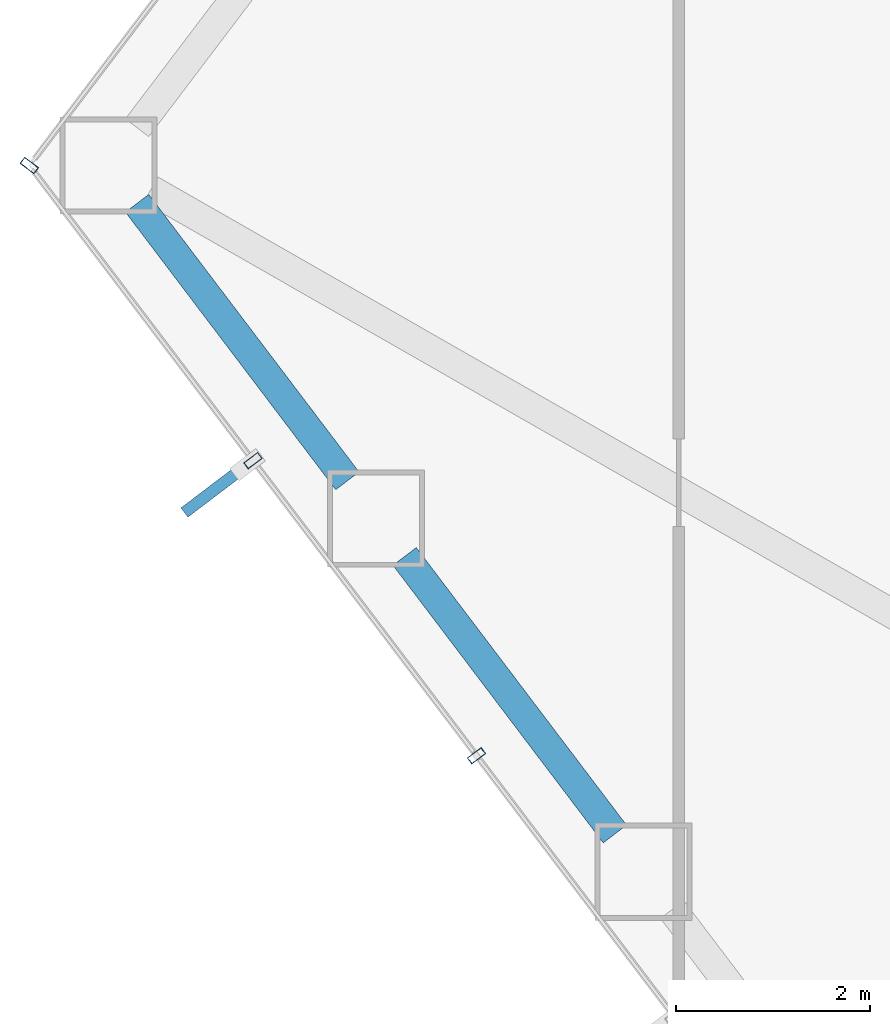
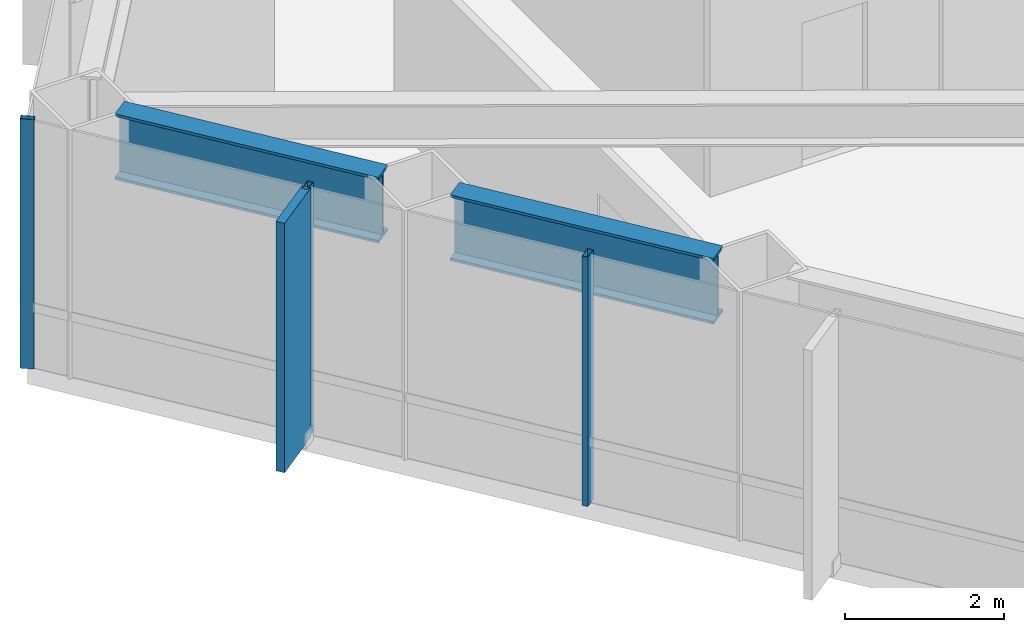
# One storey, part 4 of 25: 4 members, 2 beams, 2 elements without a shape of their own.
"""IFC4 building model written with IfcOpenShell, lengths in metres."""

from ifc_helpers import new_model, si_unit, direction, frame, origin, origin_2d, place, context, subcontext, project, spatial, rectangle, hollow_rectangle, i_section, extrude, material, layer, layer_set, material_profile, profile_set, type_object, element, aggregate, save


model = new_model("IFC4")

# Units and contexts
model_context = context("Model", 3, precision=1e-05, world=origin(), true_north=direction((0.0, 1.0)))
body_context = subcontext(model_context, "Body", "Model", "MODEL_VIEW")
ifc_project = project(units=[si_unit("LENGTHUNIT", "METRE"), si_unit("AREAUNIT", "SQUARE_METRE"), si_unit("VOLUMEUNIT", "CUBIC_METRE"), si_unit("PLANEANGLEUNIT", "RADIAN"), si_unit("MASSUNIT", "GRAM", prefix="KILO")], contexts=[model_context])

# Site, building, storey
site_placement = place(None, origin())
site = spatial("IfcSite", under=ifc_project, at=site_placement, CompositionType="ELEMENT")
building_placement = place(site_placement, origin())
building = spatial("IfcBuilding", under=site, at=building_placement, Name="Zarrinselat Tower", CompositionType="ELEMENT")
storey_placement = place(building_placement, frame((0.0, 0.0, 39.780029296875)))
storey = spatial("IfcBuildingStorey", under=building, at=storey_placement, Name="L09", CompositionType="ELEMENT", Elevation=39.780029296875)

# Beams
ifc_material_1 = material(Name="Steel S460M", Category="steel")
ifc_material_profile_1 = material_profile(ifc_material_1, i_section(OverallWidth=0.302001953125, OverallDepth=1.008056640625, WebThickness=0.02099609375, FlangeThickness=0.0400390625, at=origin_2d()), Name="HEM 1000")
ifc_profile_set_1 = profile_set([ifc_material_profile_1], Name="Steel S460M")
beam_type = type_object("IfcBeamType", Name="BM-HEM1000", PredefinedType="BEAM", material=ifc_profile_set_1)
for number, where, z_axis, x_axis, name in (
    (1, (16.921875, 33.83203125, 3.31591796875), (0.603858998435, -0.797091155395, 0.0), (0.797091155395, 0.603858998435, 0.0), "L09 Perimeter Spandrel Girder SP06"),
    (2, (19.67724609375, 30.195068359375, 3.31591796875), (0.603815751357, -0.797123916598, 0.0), (0.797123916598, 0.603815751357, 0.0), "L09 Perimeter Spandrel Girder SP07"),
):
    element("IfcBeam", number, at=place(storey_placement, frame(where, z_axis=z_axis, x_axis=x_axis)), inside=storey, type_object=beam_type, Name=name, PredefinedType="BEAM", context=body_context, shape_type="SweptSolid", body=[
        extrude(i_section(OverallWidth=0.302001953125, OverallDepth=1.008056640625, WebThickness=0.02099609375, FlangeThickness=0.0400390625, at=origin_2d()), origin(), (0.0, 0.0, 1.0), 3.5869140625),
    ])

# Curtain wall, member
ifc_material_2 = material(Name="Extruded Aluminium Alloy EN AW-6063 T6", Category="aluminium")
ifc_layer = layer(ifc_material_2, 0.18505859375)
ifc_layer_set = layer_set([ifc_layer], Name="Extruded Aluminium Alloy EN AW-6063 T6")
curtain_wall_type = type_object("IfcCurtainWallType", Name="CWS-OFF", PredefinedType="NOTDEFINED", material=ifc_layer_set)
curtain_wall_1_placement = place(storey_placement, origin())
curtain_wall_1 = element("IfcCurtainWall", 3, at=curtain_wall_1_placement, inside=storey, type_object=curtain_wall_type, Name="L09 Unitised Curtain Wall CW-L09-E02", PredefinedType="NOTDEFINED")
ifc_material_3 = material(Name="Extruded Aluminium Alloy EN AW-6063 T6", Category="aluminium")
ifc_material_profile_2 = material_profile(ifc_material_3, hollow_rectangle(XDim=0.080078125, YDim=0.179931640625, WallThickness=0.0048828125, at=origin_2d()), Name="RHS 180x80x5")
ifc_profile_set_2 = profile_set([ifc_material_profile_2], Name="Extruded Aluminium Alloy EN AW-6063 T6")
member_type_1 = type_object("IfcMemberType", Name="MEM-CW-MUL", PredefinedType="MULLION", material=ifc_profile_set_2)
member_1_placement = place(storey_placement, frame((15.811767578125, 34.220947265625, 0.0), z_axis=(0.0, 0.0, 1.0), x_axis=(-0.603856912101, -0.797092735952, 0.0)))
member_1 = element("IfcMember", 4, at=member_1_placement, type_object=member_type_1, Name="CW-L09-E02 Mullion 7", PredefinedType="MULLION", context=body_context, shape_type="SweptSolid", body=[
    extrude(hollow_rectangle(XDim=0.080078125, YDim=0.179931640625, WallThickness=0.0048828125, at=origin_2d()), origin(), (0.0, 0.0, 1.0), 3.820068359375),
])
aggregate(curtain_wall_1, [member_1])

# Curtain wall, members
curtain_wall_2_placement = place(storey_placement, origin())
curtain_wall_2 = element("IfcCurtainWall", 5, at=curtain_wall_2_placement, inside=storey, type_object=curtain_wall_type, Name="L09 Unitised Curtain Wall CW-L09-E03", PredefinedType="NOTDEFINED")
member_2_placement = place(storey_placement, frame((18.114501953125, 31.181396484375, 0.0), z_axis=(0.0, 0.0, 1.0), x_axis=(0.603857284091, -0.797092454142, 0.0)))
member_2 = element("IfcMember", 6, at=member_2_placement, type_object=member_type_1, Name="CW-L09-E03 Mullion 1", PredefinedType="MULLION", context=body_context, shape_type="SweptSolid", body=[
    extrude(hollow_rectangle(XDim=0.080078125, YDim=0.179931640625, WallThickness=0.0048828125, at=origin_2d()), origin(), (0.0, 0.0, 1.0), 3.820068359375),
])
member_3_placement = place(storey_placement, frame((20.417236328125, 28.141845703125, 0.0), z_axis=(0.0, 0.0, 1.0), x_axis=(0.603857284091, -0.797092454142, 0.0)))
member_3 = element("IfcMember", 7, at=member_3_placement, type_object=member_type_1, Name="CW-L09-E03 Mullion 2", PredefinedType="MULLION", context=body_context, shape_type="SweptSolid", body=[
    extrude(hollow_rectangle(XDim=0.080078125, YDim=0.179931640625, WallThickness=0.0048828125, at=origin_2d()), origin(), (0.0, 0.0, 1.0), 3.820068359375),
])
ifc_material_4 = material(Name="Honed Cream Travertine Stone", Category="masonry")
ifc_material_profile_3 = material_profile(ifc_material_4, rectangle(XDim=0.1201171875, YDim=0.85009765625, at=origin_2d()), Name="FIN 850x120")
ifc_profile_set_3 = profile_set([ifc_material_profile_3], Name="Honed Cream Travertine Stone")
member_type_2 = type_object("IfcMemberType", Name="MEM-STONE-FIN", PredefinedType="USERDEFINED", material=ifc_profile_set_3)
member_4_placement = place(storey_placement, frame((17.747802734375, 30.903564453125, 0.0), z_axis=(0.0, 0.0, 1.0), x_axis=(-0.603857284091, 0.797092454142, 0.0)))
member_4 = element("IfcMember", 8, at=member_4_placement, type_object=member_type_2, Name="L09 Stone Shading Fin CW-L09-E03-01", ObjectType="FIN", PredefinedType="USERDEFINED", context=body_context, shape_type="SweptSolid", body=[
    extrude(rectangle(XDim=0.1201171875, YDim=0.85009765625, at=origin_2d()), origin(), (0.0, 0.0, 1.0), 3.820068359375),
])
aggregate(curtain_wall_2, [member_2, member_4, member_3])

save(model, "model.ifc")
